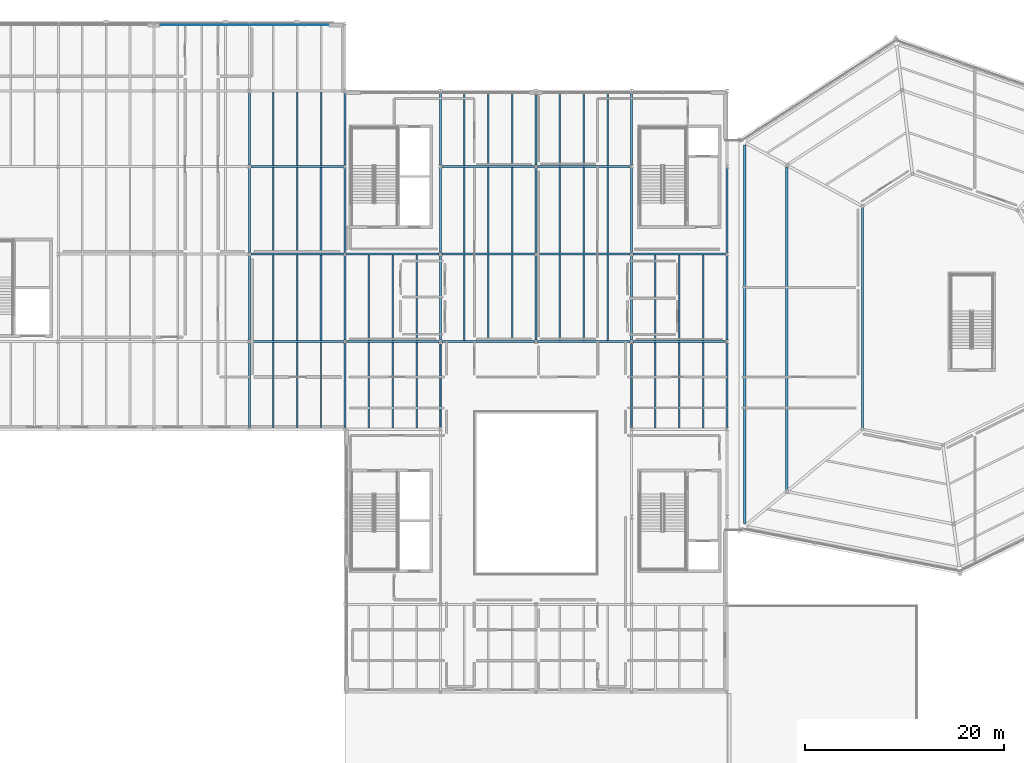
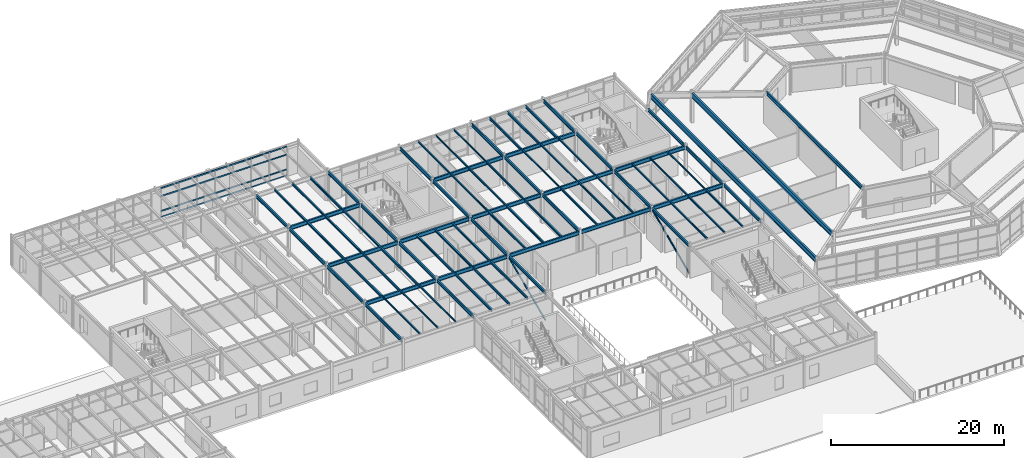
# One storey, part 28 of 69: 80 beams, 6 members, 1 element without a shape of its own.
"""IFC4 building model written with IfcOpenShell, lengths in metres."""

from ifc_helpers import new_model, si_unit, direction, frame, origin, origin_2d, place, context, subcontext, project, spatial, rectangle, hollow_rectangle, hollow_circle, i_section, extrude, material, material_profile, profile_set, type_object, element, aggregate, save


model = new_model("IFC4")

# Units and contexts
model_context = context("Model", 3, precision=1e-05, world=origin(), true_north=direction((0.0, 1.0)))
body_context = subcontext(model_context, "Body", "Model", "MODEL_VIEW")
ifc_project = project(units=[si_unit("LENGTHUNIT", "METRE"), si_unit("AREAUNIT", "SQUARE_METRE"), si_unit("VOLUMEUNIT", "CUBIC_METRE"), si_unit("PLANEANGLEUNIT", "RADIAN"), si_unit("MASSUNIT", "GRAM", prefix="KILO")], contexts=[model_context])

# Site, building, storey
site_placement = place(None, origin())
site = spatial("IfcSite", under=ifc_project, at=site_placement, CompositionType="ELEMENT")
building_placement = place(site_placement, origin())
building = spatial("IfcBuilding", under=site, at=building_placement, Name="Sarnbrook Museum", CompositionType="ELEMENT")
storey_placement = place(building_placement, frame((0.0, 0.0, 14.60009765625)))
storey = spatial("IfcBuildingStorey", under=building, at=storey_placement, Name="L03", CompositionType="ELEMENT", Elevation=14.60009765625)

# Beams
ifc_material_1 = material(Name="Structural Steel Grade 300PLUS (AS/NZS 3679.1, fy = 280 MPa for 17 < t <= 40 mm, 300 MPa for t <= 17 mm)", Category="steel")
ifc_material_profile_1 = material_profile(ifc_material_1, i_section(OverallWidth=0.18994140625, OverallDepth=0.45703125, WebThickness=0.009033203125, FlangeThickness=0.014404296875, FilletRadius=0.011474609375, at=origin_2d()), Name="460UB74.6")
ifc_profile_set_1 = profile_set([ifc_material_profile_1], Name="Structural Steel Grade 300PLUS (AS/NZS 3679.1, fy = 280 MPa for 17 < t <= 40 mm, 300 MPa for t <= 17 mm)")
beam_type_1 = type_object("IfcBeamType", Name="BM-UB460", PredefinedType="BEAM", material=ifc_profile_set_1)
beam_1_placement = place(storey_placement, frame((71.199951171875, 74.5576171875, 3.9814453125), z_axis=(0.0, 1.0, 0.0), x_axis=(-1.0, 0.0, 0.0)))
element("IfcBeam", 1, at=beam_1_placement, inside=storey, type_object=beam_type_1, Name="Girder 8:J-K L03", PredefinedType="BEAM", context=body_context, shape_type="SweptSolid", body=[
    extrude(i_section(OverallWidth=0.18994140625, OverallDepth=0.45703125, WebThickness=0.009033203125, FlangeThickness=0.014404296875, FilletRadius=0.011474609375, at=origin_2d()), origin(), (0.0, 0.0, 1.0), 8.48486328125),
])
for number, where, z_axis, x_axis, name in (
    (2, (71.199951171875, 83.357421875, 3.9814453125), (0.0, 1.0, 0.0), (-1.0, 0.0, 0.0), "Girder 8:K-L L03"),
    (3, (71.199951171875, 92.157470703125, 3.9814453125), (0.0, 1.0, 0.0), (-1.0, 0.0, 0.0), "Girder 8:L-M L03"),
):
    element("IfcBeam", number, at=place(storey_placement, frame(where, z_axis=z_axis, x_axis=x_axis)), inside=storey, type_object=beam_type_1, Name=name, PredefinedType="BEAM", context=body_context, shape_type="SweptSolid", body=[
        extrude(i_section(OverallWidth=0.18994140625, OverallDepth=0.45703125, WebThickness=0.009033203125, FlangeThickness=0.014404296875, FilletRadius=0.011474609375, at=origin_2d()), origin(), (0.0, 0.0, 1.0), 8.485107421875),
    ])
beam_2_placement = place(storey_placement, frame((71.199951171875, 100.95751953125, 3.9814453125), z_axis=(0.0, 1.0, 0.0), x_axis=(-1.0, 0.0, 0.0)))
element("IfcBeam", 4, at=beam_2_placement, inside=storey, type_object=beam_type_1, Name="Girder 8:M-N L03", PredefinedType="BEAM", context=body_context, shape_type="SweptSolid", body=[
    extrude(i_section(OverallWidth=0.18994140625, OverallDepth=0.45703125, WebThickness=0.009033203125, FlangeThickness=0.014404296875, FilletRadius=0.011474609375, at=origin_2d()), origin(), (0.0, 0.0, 1.0), 7.284912109375),
])
beam_3_placement = place(storey_placement, frame((80.800048828125, 74.5576171875, 3.9814453125), z_axis=(0.0, 1.0, 0.0), x_axis=(-1.0, 0.0, 0.0)))
element("IfcBeam", 5, at=beam_3_placement, inside=storey, type_object=beam_type_1, Name="Girder 9:J-K L03", PredefinedType="BEAM", context=body_context, shape_type="SweptSolid", body=[
    extrude(i_section(OverallWidth=0.18994140625, OverallDepth=0.45703125, WebThickness=0.009033203125, FlangeThickness=0.014404296875, FilletRadius=0.011474609375, at=origin_2d()), origin(), (0.0, 0.0, 1.0), 8.48486328125),
])
for number, where, z_axis, x_axis, name in (
    (6, (80.800048828125, 83.357421875, 3.9814453125), (0.0, 1.0, 0.0), (-1.0, 0.0, 0.0), "Girder 9:K-L L03"),
    (7, (80.800048828125, 92.157470703125, 3.9814453125), (0.0, 1.0, 0.0), (-1.0, 0.0, 0.0), "Girder 9:L-M L03"),
):
    element("IfcBeam", number, at=place(storey_placement, frame(where, z_axis=z_axis, x_axis=x_axis)), inside=storey, type_object=beam_type_1, Name=name, PredefinedType="BEAM", context=body_context, shape_type="SweptSolid", body=[
        extrude(i_section(OverallWidth=0.18994140625, OverallDepth=0.45703125, WebThickness=0.009033203125, FlangeThickness=0.014404296875, FilletRadius=0.011474609375, at=origin_2d()), origin(), (0.0, 0.0, 1.0), 8.485107421875),
    ])
beam_4_placement = place(storey_placement, frame((80.800048828125, 100.95751953125, 3.9814453125), z_axis=(0.0, 1.0, 0.0), x_axis=(-1.0, 0.0, 0.0)))
element("IfcBeam", 8, at=beam_4_placement, inside=storey, type_object=beam_type_1, Name="Girder 9:M-N L03", PredefinedType="BEAM", context=body_context, shape_type="SweptSolid", body=[
    extrude(i_section(OverallWidth=0.18994140625, OverallDepth=0.45703125, WebThickness=0.009033203125, FlangeThickness=0.014404296875, FilletRadius=0.011474609375, at=origin_2d()), origin(), (0.0, 0.0, 1.0), 7.284912109375),
])
beam_5_placement = place(storey_placement, frame((90.39990234375, 74.5576171875, 4.021484375), z_axis=(0.0, 1.0, 0.0), x_axis=(-1.0, 0.0, 0.0)))
element("IfcBeam", 9, at=beam_5_placement, inside=storey, type_object=beam_type_1, Name="Girder 10:J-K L03", PredefinedType="BEAM", context=body_context, shape_type="SweptSolid", body=[
    extrude(i_section(OverallWidth=0.18994140625, OverallDepth=0.45703125, WebThickness=0.009033203125, FlangeThickness=0.014404296875, FilletRadius=0.011474609375, at=origin_2d()), origin(), (0.0, 0.0, 1.0), 8.48486328125),
])
for number, where, z_axis, x_axis, name in (
    (10, (90.39990234375, 83.357421875, 4.021484375), (0.0, 1.0, 0.0), (-1.0, 0.0, 0.0), "Girder 10:K-L L03"),
    (11, (90.39990234375, 92.157470703125, 4.021484375), (0.0, 1.0, 0.0), (-1.0, 0.0, 0.0), "Girder 10:L-M L03"),
):
    element("IfcBeam", number, at=place(storey_placement, frame(where, z_axis=z_axis, x_axis=x_axis)), inside=storey, type_object=beam_type_1, Name=name, PredefinedType="BEAM", context=body_context, shape_type="SweptSolid", body=[
        extrude(i_section(OverallWidth=0.18994140625, OverallDepth=0.45703125, WebThickness=0.009033203125, FlangeThickness=0.014404296875, FilletRadius=0.011474609375, at=origin_2d()), origin(), (0.0, 0.0, 1.0), 8.485107421875),
    ])
beam_6_placement = place(storey_placement, frame((90.39990234375, 100.95751953125, 4.021484375), z_axis=(0.0, 1.0, 0.0), x_axis=(-1.0, 0.0, 0.0)))
element("IfcBeam", 12, at=beam_6_placement, inside=storey, type_object=beam_type_1, Name="Girder 10:M-N L03", PredefinedType="BEAM", context=body_context, shape_type="SweptSolid", body=[
    extrude(i_section(OverallWidth=0.18994140625, OverallDepth=0.45703125, WebThickness=0.009033203125, FlangeThickness=0.014404296875, FilletRadius=0.011474609375, at=origin_2d()), origin(), (0.0, 0.0, 1.0), 7.284912109375),
])
for number, where, z_axis, x_axis, name in (
    (13, (100.0, 83.357421875, 4.021484375), (0.0, 1.0, 0.0), (-1.0, 0.0, 0.0), "Girder 11:K-L L03"),
    (14, (100.0, 92.157470703125, 4.021484375), (0.0, 1.0, 0.0), (-1.0, 0.0, 0.0), "Girder 11:L-M L03"),
):
    element("IfcBeam", number, at=place(storey_placement, frame(where, z_axis=z_axis, x_axis=x_axis)), inside=storey, type_object=beam_type_1, Name=name, PredefinedType="BEAM", context=body_context, shape_type="SweptSolid", body=[
        extrude(i_section(OverallWidth=0.18994140625, OverallDepth=0.45703125, WebThickness=0.009033203125, FlangeThickness=0.014404296875, FilletRadius=0.011474609375, at=origin_2d()), origin(), (0.0, 0.0, 1.0), 8.485107421875),
    ])
beam_7_placement = place(storey_placement, frame((100.0, 100.95751953125, 4.021484375), z_axis=(0.0, 1.0, 0.0), x_axis=(-1.0, 0.0, 0.0)))
element("IfcBeam", 15, at=beam_7_placement, inside=storey, type_object=beam_type_1, Name="Girder 11:M-N L03", PredefinedType="BEAM", context=body_context, shape_type="SweptSolid", body=[
    extrude(i_section(OverallWidth=0.18994140625, OverallDepth=0.45703125, WebThickness=0.009033203125, FlangeThickness=0.014404296875, FilletRadius=0.011474609375, at=origin_2d()), origin(), (0.0, 0.0, 1.0), 7.284912109375),
])
beam_8_placement = place(storey_placement, frame((109.60009765625, 74.5576171875, 4.021484375), z_axis=(0.0, 1.0, 0.0), x_axis=(-1.0, 0.0, 0.0)))
element("IfcBeam", 16, at=beam_8_placement, inside=storey, type_object=beam_type_1, Name="Girder 12:J-K L03", PredefinedType="BEAM", context=body_context, shape_type="SweptSolid", body=[
    extrude(i_section(OverallWidth=0.18994140625, OverallDepth=0.45703125, WebThickness=0.009033203125, FlangeThickness=0.014404296875, FilletRadius=0.011474609375, at=origin_2d()), origin(), (0.0, 0.0, 1.0), 8.48486328125),
])
for number, where, z_axis, x_axis, name in (
    (17, (109.60009765625, 83.357421875, 4.021484375), (0.0, 1.0, 0.0), (-1.0, 0.0, 0.0), "Girder 12:K-L L03"),
    (18, (109.60009765625, 92.157470703125, 4.021484375), (0.0, 1.0, 0.0), (-1.0, 0.0, 0.0), "Girder 12:L-M L03"),
):
    element("IfcBeam", number, at=place(storey_placement, frame(where, z_axis=z_axis, x_axis=x_axis)), inside=storey, type_object=beam_type_1, Name=name, PredefinedType="BEAM", context=body_context, shape_type="SweptSolid", body=[
        extrude(i_section(OverallWidth=0.18994140625, OverallDepth=0.45703125, WebThickness=0.009033203125, FlangeThickness=0.014404296875, FilletRadius=0.011474609375, at=origin_2d()), origin(), (0.0, 0.0, 1.0), 8.485107421875),
    ])
beam_9_placement = place(storey_placement, frame((109.60009765625, 100.95751953125, 4.021484375), z_axis=(0.0, 1.0, 0.0), x_axis=(-1.0, 0.0, 0.0)))
element("IfcBeam", 19, at=beam_9_placement, inside=storey, type_object=beam_type_1, Name="Girder 12:M-N L03", PredefinedType="BEAM", context=body_context, shape_type="SweptSolid", body=[
    extrude(i_section(OverallWidth=0.18994140625, OverallDepth=0.45703125, WebThickness=0.009033203125, FlangeThickness=0.014404296875, FilletRadius=0.011474609375, at=origin_2d()), origin(), (0.0, 0.0, 1.0), 7.284912109375),
])
beam_10_placement = place(storey_placement, frame((119.199951171875, 74.5576171875, 4.021484375), z_axis=(0.0, 1.0, 0.0), x_axis=(-1.0, 0.0, 0.0)))
element("IfcBeam", 20, at=beam_10_placement, inside=storey, type_object=beam_type_1, Name="Girder 13:J-K L03", PredefinedType="BEAM", context=body_context, shape_type="SweptSolid", body=[
    extrude(i_section(OverallWidth=0.18994140625, OverallDepth=0.45703125, WebThickness=0.009033203125, FlangeThickness=0.014404296875, FilletRadius=0.011474609375, at=origin_2d()), origin(), (0.0, 0.0, 1.0), 8.48486328125),
])
for number, where, z_axis, x_axis, name in (
    (21, (119.199951171875, 83.357421875, 4.021484375), (0.0, 1.0, 0.0), (-1.0, 0.0, 0.0), "Girder 13:K-L L03"),
    (22, (119.199951171875, 92.157470703125, 4.021484375), (0.0, 1.0, 0.0), (-1.0, 0.0, 0.0), "Girder 13:L-M L03"),
):
    element("IfcBeam", number, at=place(storey_placement, frame(where, z_axis=z_axis, x_axis=x_axis)), inside=storey, type_object=beam_type_1, Name=name, PredefinedType="BEAM", context=body_context, shape_type="SweptSolid", body=[
        extrude(i_section(OverallWidth=0.18994140625, OverallDepth=0.45703125, WebThickness=0.009033203125, FlangeThickness=0.014404296875, FilletRadius=0.011474609375, at=origin_2d()), origin(), (0.0, 0.0, 1.0), 8.485107421875),
    ])
ifc_material_profile_2 = material_profile(ifc_material_1, i_section(OverallWidth=0.208984375, OverallDepth=0.532958984375, WebThickness=0.01025390625, FlangeThickness=0.015625, FilletRadius=0.013916015625, at=origin_2d()), Name="530UB92.4")
ifc_profile_set_2 = profile_set([ifc_material_profile_2], Name="Structural Steel Grade 300PLUS (AS/NZS 3679.1, fy = 280 MPa for 17 < t <= 40 mm, 300 MPa for t <= 17 mm)")
beam_type_2 = type_object("IfcBeamType", Name="BM-UB530", PredefinedType="BEAM", material=ifc_profile_set_2)
for number, where, z_axis, x_axis, name in (
    (23, (71.353515625, 83.199951171875, 3.943359375), (1.0, 0.0, 0.0), (0.0, 1.0, 0.0), "Girder K:8-9 L03"),
    (24, (80.95361328125, 83.199951171875, 3.9833984375), (1.0, 0.0, 0.0), (0.0, 1.0, 0.0), "Girder K:9-10 L03"),
    (25, (90.553466796875, 83.199951171875, 3.9833984375), (1.0, 0.0, 0.0), (0.0, 1.0, 0.0), "Girder K:10-11 L03"),
    (26, (100.153564453125, 83.199951171875, 3.9833984375), (1.0, 0.0, 0.0), (0.0, 1.0, 0.0), "Girder K:11-12 L03"),
    (27, (109.75341796875, 83.199951171875, 3.9833984375), (1.0, 0.0, 0.0), (0.0, 1.0, 0.0), "Girder K:12-13 L03"),
    (28, (71.353515625, 92.0, 3.943359375), (1.0, 0.0, 0.0), (0.0, 1.0, 0.0), "Girder L:8-9 L03"),
    (29, (80.95361328125, 92.0, 3.9833984375), (1.0, 0.0, 0.0), (0.0, 1.0, 0.0), "Girder L:9-10 L03"),
    (30, (90.553466796875, 92.0, 3.9833984375), (1.0, 0.0, 0.0), (0.0, 1.0, 0.0), "Girder L:10-11 L03"),
    (31, (100.153564453125, 92.0, 3.9833984375), (1.0, 0.0, 0.0), (0.0, 1.0, 0.0), "Girder L:11-12 L03"),
    (32, (109.75341796875, 92.0, 3.9833984375), (1.0, 0.0, 0.0), (0.0, 1.0, 0.0), "Girder L:12-13 L03"),
    (33, (71.353515625, 100.800048828125, 3.943359375), (1.0, 0.0, 0.0), (0.0, 1.0, 0.0), "Girder M:8-9 L03"),
    (34, (90.553466796875, 100.800048828125, 3.9833984375), (1.0, 0.0, 0.0), (0.0, 1.0, 0.0), "Girder M:10-11 L03"),
    (35, (100.153564453125, 100.800048828125, 3.9833984375), (1.0, 0.0, 0.0), (0.0, 1.0, 0.0), "Girder M:11-12 L03"),
):
    element("IfcBeam", number, at=place(storey_placement, frame(where, z_axis=z_axis, x_axis=x_axis)), inside=storey, type_object=beam_type_2, Name=name, PredefinedType="BEAM", context=body_context, shape_type="SweptSolid", body=[
        extrude(i_section(OverallWidth=0.208984375, OverallDepth=0.532958984375, WebThickness=0.01025390625, FlangeThickness=0.015625, FilletRadius=0.013916015625, at=origin_2d()), origin(), (0.0, 0.0, 1.0), 9.29296875),
    ])
beam_11_placement = place(storey_placement, frame((132.800048828125, 96.692138671875, 3.973388671875), z_axis=(0.0, -1.0, 0.0), x_axis=(1.0, 0.0, 0.0)))
element("IfcBeam", 36, at=beam_11_placement, inside=storey, type_object=beam_type_2, Name="Crystal Hall R2 Ring Girder 7 L03", PredefinedType="BEAM", context=body_context, shape_type="SweptSolid", body=[
    extrude(i_section(OverallWidth=0.208984375, OverallDepth=0.532958984375, WebThickness=0.01025390625, FlangeThickness=0.015625, FilletRadius=0.013916015625, at=origin_2d()), origin(), (0.0, 0.0, 1.0), 22.1669921875),
])
ifc_material_2 = material(Name="Structural Steel Grade 350L0 (AS/NZS 3678, fy = 340 MPa for 20 < t <= 40 mm)", Category="steel")
ifc_material_profile_3 = material_profile(ifc_material_2, i_section(OverallWidth=0.25, OverallDepth=0.699951171875, WebThickness=0.010009765625, FlangeThickness=0.01611328125, at=origin_2d()), Name="700WB130")
ifc_profile_set_3 = profile_set([ifc_material_profile_3], Name="Structural Steel Grade 350L0 (AS/NZS 3678, fy = 340 MPa for 20 < t <= 40 mm)")
beam_type_3 = type_object("IfcBeamType", Name="BM-WB700", PredefinedType="BEAM", material=ifc_profile_set_3)
beam_12_placement = place(storey_placement, frame((120.977294921875, 102.984619140625, 3.889892578125), z_axis=(0.0, -1.0, 0.0), x_axis=(1.0, 0.0, 0.0)))
element("IfcBeam", 37, at=beam_12_placement, inside=storey, type_object=beam_type_3, Name="Crystal Hall Perimeter Ring Girder 7 L03", PredefinedType="BEAM", context=body_context, shape_type="SweptSolid", body=[
    extrude(i_section(OverallWidth=0.25, OverallDepth=0.699951171875, WebThickness=0.010009765625, FlangeThickness=0.01611328125, at=origin_2d()), origin(), (0.0, 0.0, 1.0), 38.0703125),
])
beam_13_placement = place(storey_placement, frame((125.199951171875, 100.780517578125, 3.889892578125), z_axis=(0.0, -1.0, 0.0), x_axis=(1.0, 0.0, 0.0)))
element("IfcBeam", 38, at=beam_13_placement, inside=storey, type_object=beam_type_3, Name="Crystal Hall R1 Ring Girder 7 L03", PredefinedType="BEAM", context=body_context, shape_type="SweptSolid", body=[
    extrude(i_section(OverallWidth=0.25, OverallDepth=0.699951171875, WebThickness=0.010009765625, FlangeThickness=0.01611328125, at=origin_2d()), origin(), (0.0, 0.0, 1.0), 32.47705078125),
])

# Curtain wall, members
ifc_material_3 = material(Name="Thermally Broken Anodised Aluminium 6063-T6", Category="aluminium")
curtain_wall_type = type_object("IfcCurtainWallType", Name="CurtainWall_GalleryRibbon", PredefinedType="NOTDEFINED", material=ifc_material_3)
curtain_wall_placement = place(storey_placement, origin())
curtain_wall = element("IfcCurtainWall", 39, at=curtain_wall_placement, inside=storey, type_object=curtain_wall_type, Name="Gallery Ribbon Curtain Wall L03-8.1", PredefinedType="NOTDEFINED")
ifc_material_profile_4 = material_profile(ifc_material_3, rectangle(XDim=0.06494140625, YDim=0.139892578125, at=origin_2d()), Name="ALU TRANSOM 65x140")
ifc_profile_set_4 = profile_set([ifc_material_profile_4], Name="Thermally Broken Anodised Aluminium 6063-T6")
member_type_1 = type_object("IfcMemberType", Name="CW_Transom_150x65", PredefinedType="USERDEFINED", material=ifc_profile_set_4)
member_1_placement = place(storey_placement, frame((79.1298828125, 115.02001953125, 0.039794921875), z_axis=(-1.0, 0.0, 0.0), x_axis=(0.0, -1.0, 0.0)))
member_1 = element("IfcMember", 40, at=member_1_placement, type_object=member_type_1, Name="Gallery Ribbon Curtain Wall L03-8.1 Transom 1", ObjectType="TRANSOM", PredefinedType="USERDEFINED", context=body_context, shape_type="SweptSolid", body=[
    extrude(rectangle(XDim=0.06494140625, YDim=0.139892578125, at=origin_2d()), origin(), (0.0, 0.0, 1.0), 16.85986328125),
])
member_2_placement = place(storey_placement, frame((79.1298828125, 115.02001953125, 0.89990234375), z_axis=(-1.0, 0.0, 0.0), x_axis=(0.0, -1.0, 0.0)))
member_2 = element("IfcMember", 41, at=member_2_placement, type_object=member_type_1, Name="Gallery Ribbon Curtain Wall L03-8.1 Transom 2", ObjectType="TRANSOM", PredefinedType="USERDEFINED", context=body_context, shape_type="SweptSolid", body=[
    extrude(rectangle(XDim=0.06494140625, YDim=0.139892578125, at=origin_2d()), origin(), (0.0, 0.0, 1.0), 16.85986328125),
])
member_3_placement = place(storey_placement, frame((79.1298828125, 115.02001953125, 3.0), z_axis=(-1.0, 0.0, 0.0), x_axis=(0.0, -1.0, 0.0)))
member_3 = element("IfcMember", 42, at=member_3_placement, type_object=member_type_1, Name="Gallery Ribbon Curtain Wall L03-8.1 Transom 3", ObjectType="TRANSOM", PredefinedType="USERDEFINED", context=body_context, shape_type="SweptSolid", body=[
    extrude(rectangle(XDim=0.06494140625, YDim=0.139892578125, at=origin_2d()), origin(), (0.0, 0.0, 1.0), 16.85986328125),
])
member_4_placement = place(storey_placement, frame((79.1298828125, 115.02001953125, 4.119873046875), z_axis=(-1.0, 0.0, 0.0), x_axis=(0.0, -1.0, 0.0)))
member_4 = element("IfcMember", 43, at=member_4_placement, type_object=member_type_1, Name="Gallery Ribbon Curtain Wall L03-8.1 Transom 4", ObjectType="TRANSOM", PredefinedType="USERDEFINED", context=body_context, shape_type="SweptSolid", body=[
    extrude(rectangle(XDim=0.06494140625, YDim=0.139892578125, at=origin_2d()), origin(), (0.0, 0.0, 1.0), 16.85986328125),
])
aggregate(curtain_wall, [member_1, member_2, member_3, member_4])

# Beams
ifc_material_profile_5 = material_profile(ifc_material_1, i_section(OverallWidth=0.134033203125, OverallDepth=0.20703125, WebThickness=0.00634765625, FlangeThickness=0.009521484375, FilletRadius=0.0087890625, at=origin_2d()), Name="200UB29.8")
ifc_profile_set_5 = profile_set([ifc_material_profile_5], Name="Structural Steel Grade 300PLUS (AS/NZS 3679.1, fy = 280 MPa for 17 < t <= 40 mm, 300 MPa for t <= 17 mm)")
beam_type_4 = type_object("IfcBeamType", Name="JS-UB200", PredefinedType="JOIST", material=ifc_profile_set_5)
for number, where, z_axis, x_axis, name in (
    (44, (73.60009765625, 74.50439453125, 4.1064453125), (0.0, 1.0, 0.0), (-1.0, 0.0, 0.0), "Composite Floor Joist 8J-1 L03"),
    (45, (76.0, 74.50439453125, 4.1064453125), (0.0, 1.0, 0.0), (-1.0, 0.0, 0.0), "Composite Floor Joist 8J-2 L03"),
    (46, (78.39990234375, 74.50439453125, 4.1064453125), (0.0, 1.0, 0.0), (-1.0, 0.0, 0.0), "Composite Floor Joist 8J-3 L03"),
):
    element("IfcBeam", number, at=place(storey_placement, frame(where, z_axis=z_axis, x_axis=x_axis)), inside=storey, type_object=beam_type_4, Name=name, PredefinedType="JOIST", context=body_context, shape_type="SweptSolid", body=[
        extrude(i_section(OverallWidth=0.134033203125, OverallDepth=0.20703125, WebThickness=0.00634765625, FlangeThickness=0.009521484375, FilletRadius=0.0087890625, at=origin_2d()), origin(), (0.0, 0.0, 1.0), 8.591064453125),
    ])
for number, where, z_axis, x_axis, name in (
    (47, (92.800048828125, 100.904541015625, 4.146484375), (0.0, 1.0, 0.0), (-1.0, 0.0, 0.0), "Composite Floor Joist 10M-1 L03"),
    (48, (95.199951171875, 100.904541015625, 4.146484375), (0.0, 1.0, 0.0), (-1.0, 0.0, 0.0), "Composite Floor Joist 10M-2 L03"),
    (49, (97.60009765625, 100.904541015625, 4.146484375), (0.0, 1.0, 0.0), (-1.0, 0.0, 0.0), "Composite Floor Joist 10M-3 L03"),
):
    element("IfcBeam", number, at=place(storey_placement, frame(where, z_axis=z_axis, x_axis=x_axis)), inside=storey, type_object=beam_type_4, Name=name, PredefinedType="JOIST", context=body_context, shape_type="SweptSolid", body=[
        extrude(i_section(OverallWidth=0.134033203125, OverallDepth=0.20703125, WebThickness=0.00634765625, FlangeThickness=0.009521484375, FilletRadius=0.0087890625, at=origin_2d()), origin(), (0.0, 0.0, 1.0), 7.390869140625),
    ])
for number, where, z_axis, x_axis, name in (
    (50, (102.39990234375, 92.1044921875, 4.146484375), (0.0, 1.0, 0.0), (-1.0, 0.0, 0.0), "Composite Floor Joist 11L-1 L03"),
    (51, (104.800048828125, 92.1044921875, 4.146484375), (0.0, 1.0, 0.0), (-1.0, 0.0, 0.0), "Composite Floor Joist 11L-2 L03"),
    (52, (107.199951171875, 92.1044921875, 4.146484375), (0.0, 1.0, 0.0), (-1.0, 0.0, 0.0), "Composite Floor Joist 11L-3 L03"),
    (53, (112.0, 83.304443359375, 4.146484375), (0.0, 1.0, 0.0), (-1.0, 0.0, 0.0), "Composite Floor Joist 12K-1 L03"),
    (54, (114.39990234375, 83.304443359375, 4.146484375), (0.0, 1.0, 0.0), (-1.0, 0.0, 0.0), "Composite Floor Joist 12K-2 L03"),
    (55, (116.800048828125, 83.304443359375, 4.146484375), (0.0, 1.0, 0.0), (-1.0, 0.0, 0.0), "Composite Floor Joist 12K-3 L03"),
):
    element("IfcBeam", number, at=place(storey_placement, frame(where, z_axis=z_axis, x_axis=x_axis)), inside=storey, type_object=beam_type_4, Name=name, PredefinedType="JOIST", context=body_context, shape_type="SweptSolid", body=[
        extrude(i_section(OverallWidth=0.134033203125, OverallDepth=0.20703125, WebThickness=0.00634765625, FlangeThickness=0.009521484375, FilletRadius=0.0087890625, at=origin_2d()), origin(), (0.0, 0.0, 1.0), 8.591064453125),
    ])
ifc_material_profile_6 = material_profile(ifc_material_1, i_section(OverallWidth=0.14599609375, OverallDepth=0.256103515625, WebThickness=0.00634765625, FlangeThickness=0.010986328125, FilletRadius=0.0087890625, at=origin_2d()), Name="250UB37.3")
ifc_profile_set_6 = profile_set([ifc_material_profile_6], Name="Structural Steel Grade 300PLUS (AS/NZS 3679.1, fy = 280 MPa for 17 < t <= 40 mm, 300 MPa for t <= 17 mm)")
beam_type_5 = type_object("IfcBeamType", Name="JS-UB250", PredefinedType="JOIST", material=ifc_profile_set_6)
for number, where, z_axis, x_axis, name in (
    (56, (92.800048828125, 92.1044921875, 4.121826171875), (0.0, 1.0, 0.0), (-1.0, 0.0, 0.0), "Composite Floor Joist 10L-1 L03"),
    (57, (95.199951171875, 92.1044921875, 4.121826171875), (0.0, 1.0, 0.0), (-1.0, 0.0, 0.0), "Composite Floor Joist 10L-2 L03"),
    (58, (97.60009765625, 92.1044921875, 4.121826171875), (0.0, 1.0, 0.0), (-1.0, 0.0, 0.0), "Composite Floor Joist 10L-3 L03"),
    (59, (102.39990234375, 83.304443359375, 4.121826171875), (0.0, 1.0, 0.0), (-1.0, 0.0, 0.0), "Composite Floor Joist 11K-1 L03"),
    (60, (104.800048828125, 83.304443359375, 4.121826171875), (0.0, 1.0, 0.0), (-1.0, 0.0, 0.0), "Composite Floor Joist 11K-2 L03"),
    (61, (107.199951171875, 83.304443359375, 4.121826171875), (0.0, 1.0, 0.0), (-1.0, 0.0, 0.0), "Composite Floor Joist 11K-3 L03"),
    (62, (112.0, 74.50439453125, 4.121826171875), (0.0, 1.0, 0.0), (-1.0, 0.0, 0.0), "Composite Floor Joist 12J-1 L03"),
    (63, (114.39990234375, 74.50439453125, 4.121826171875), (0.0, 1.0, 0.0), (-1.0, 0.0, 0.0), "Composite Floor Joist 12J-2 L03"),
    (64, (116.800048828125, 74.50439453125, 4.121826171875), (0.0, 1.0, 0.0), (-1.0, 0.0, 0.0), "Composite Floor Joist 12J-3 L03"),
):
    element("IfcBeam", number, at=place(storey_placement, frame(where, z_axis=z_axis, x_axis=x_axis)), inside=storey, type_object=beam_type_5, Name=name, PredefinedType="JOIST", context=body_context, shape_type="SweptSolid", body=[
        extrude(i_section(OverallWidth=0.14599609375, OverallDepth=0.256103515625, WebThickness=0.00634765625, FlangeThickness=0.010986328125, FilletRadius=0.0087890625, at=origin_2d()), origin(), (0.0, 0.0, 1.0), 8.591064453125),
    ])
ifc_material_profile_7 = material_profile(ifc_material_1, i_section(OverallWidth=0.1650390625, OverallDepth=0.303955078125, WebThickness=0.006103515625, FlangeThickness=0.01025390625, FilletRadius=0.011474609375, at=origin_2d()), Name="310UB40.4")
ifc_profile_set_7 = profile_set([ifc_material_profile_7], Name="Structural Steel Grade 300PLUS (AS/NZS 3679.1, fy = 280 MPa for 17 < t <= 40 mm, 300 MPa for t <= 17 mm)")
beam_type_6 = type_object("IfcBeamType", Name="JS-UB310", PredefinedType="JOIST", material=ifc_profile_set_7)
for number, where, z_axis, x_axis, name in (
    (65, (73.60009765625, 100.904541015625, 4.057861328125), (0.0, 1.0, 0.0), (-1.0, 0.0, 0.0), "Composite Floor Joist 8M-1 L03"),
    (66, (76.0, 100.904541015625, 4.057861328125), (0.0, 1.0, 0.0), (-1.0, 0.0, 0.0), "Composite Floor Joist 8M-2 L03"),
    (67, (78.39990234375, 100.904541015625, 4.057861328125), (0.0, 1.0, 0.0), (-1.0, 0.0, 0.0), "Composite Floor Joist 8M-3 L03"),
):
    element("IfcBeam", number, at=place(storey_placement, frame(where, z_axis=z_axis, x_axis=x_axis)), inside=storey, type_object=beam_type_6, Name=name, PredefinedType="JOIST", context=body_context, shape_type="SweptSolid", body=[
        extrude(i_section(OverallWidth=0.1650390625, OverallDepth=0.303955078125, WebThickness=0.006103515625, FlangeThickness=0.01025390625, FilletRadius=0.011474609375, at=origin_2d()), origin(), (0.0, 0.0, 1.0), 7.390869140625),
    ])
for number, where, z_axis, x_axis, name in (
    (68, (92.800048828125, 83.304443359375, 4.097900390625), (0.0, 1.0, 0.0), (-1.0, 0.0, 0.0), "Composite Floor Joist 10K-1 L03"),
    (69, (95.199951171875, 83.304443359375, 4.097900390625), (0.0, 1.0, 0.0), (-1.0, 0.0, 0.0), "Composite Floor Joist 10K-2 L03"),
    (70, (97.60009765625, 83.304443359375, 4.097900390625), (0.0, 1.0, 0.0), (-1.0, 0.0, 0.0), "Composite Floor Joist 10K-3 L03"),
):
    element("IfcBeam", number, at=place(storey_placement, frame(where, z_axis=z_axis, x_axis=x_axis)), inside=storey, type_object=beam_type_6, Name=name, PredefinedType="JOIST", context=body_context, shape_type="SweptSolid", body=[
        extrude(i_section(OverallWidth=0.1650390625, OverallDepth=0.303955078125, WebThickness=0.006103515625, FlangeThickness=0.01025390625, FilletRadius=0.011474609375, at=origin_2d()), origin(), (0.0, 0.0, 1.0), 8.591064453125),
    ])
ifc_material_profile_8 = material_profile(ifc_material_1, i_section(OverallWidth=0.166015625, OverallDepth=0.306884765625, WebThickness=0.006591796875, FlangeThickness=0.01171875, FilletRadius=0.011474609375, at=origin_2d()), Name="310UB46.2")
ifc_profile_set_8 = profile_set([ifc_material_profile_8], Name="Structural Steel Grade 300PLUS (AS/NZS 3679.1, fy = 280 MPa for 17 < t <= 40 mm, 300 MPa for t <= 17 mm)")
beam_type_7 = type_object("IfcBeamType", Name="JS-UB310H", PredefinedType="JOIST", material=ifc_profile_set_8)
for number, where, z_axis, x_axis, name in (
    (71, (73.60009765625, 92.1044921875, 4.056396484375), (0.0, 1.0, 0.0), (-1.0, 0.0, 0.0), "Composite Floor Joist 8L-1 L03"),
    (72, (76.0, 92.1044921875, 4.056396484375), (0.0, 1.0, 0.0), (-1.0, 0.0, 0.0), "Composite Floor Joist 8L-2 L03"),
    (73, (78.39990234375, 92.1044921875, 4.056396484375), (0.0, 1.0, 0.0), (-1.0, 0.0, 0.0), "Composite Floor Joist 8L-3 L03"),
    (74, (83.199951171875, 83.304443359375, 4.096435546875), (0.0, 1.0, 0.0), (-1.0, 0.0, 0.0), "Composite Floor Joist 9K-1 L03"),
    (75, (85.60009765625, 83.304443359375, 4.096435546875), (0.0, 1.0, 0.0), (-1.0, 0.0, 0.0), "Composite Floor Joist 9K-2 L03"),
    (76, (88.0, 83.304443359375, 4.096435546875), (0.0, 1.0, 0.0), (-1.0, 0.0, 0.0), "Composite Floor Joist 9K-3 L03"),
):
    element("IfcBeam", number, at=place(storey_placement, frame(where, z_axis=z_axis, x_axis=x_axis)), inside=storey, type_object=beam_type_7, Name=name, PredefinedType="JOIST", context=body_context, shape_type="SweptSolid", body=[
        extrude(i_section(OverallWidth=0.166015625, OverallDepth=0.306884765625, WebThickness=0.006591796875, FlangeThickness=0.01171875, FilletRadius=0.011474609375, at=origin_2d()), origin(), (0.0, 0.0, 1.0), 8.591064453125),
    ])
ifc_material_profile_9 = material_profile(ifc_material_1, i_section(OverallWidth=0.1708984375, OverallDepth=0.35595703125, WebThickness=0.00732421875, FlangeThickness=0.011474609375, FilletRadius=0.011474609375, at=origin_2d()), Name="360UB50.7")
ifc_profile_set_9 = profile_set([ifc_material_profile_9], Name="Structural Steel Grade 300PLUS (AS/NZS 3679.1, fy = 280 MPa for 17 < t <= 40 mm, 300 MPa for t <= 17 mm)")
beam_type_8 = type_object("IfcBeamType", Name="JS-UB360", PredefinedType="JOIST", material=ifc_profile_set_9)
for number, where, z_axis, x_axis, name in (
    (77, (73.60009765625, 83.304443359375, 4.031982421875), (0.0, 1.0, 0.0), (-1.0, 0.0, 0.0), "Composite Floor Joist 8K-1 L03"),
    (78, (76.0, 83.304443359375, 4.031982421875), (0.0, 1.0, 0.0), (-1.0, 0.0, 0.0), "Composite Floor Joist 8K-2 L03"),
    (79, (78.39990234375, 83.304443359375, 4.031982421875), (0.0, 1.0, 0.0), (-1.0, 0.0, 0.0), "Composite Floor Joist 8K-3 L03"),
    (80, (83.199951171875, 74.50439453125, 4.072021484375), (0.0, 1.0, 0.0), (-1.0, 0.0, 0.0), "Composite Floor Joist 9J-1 L03"),
    (81, (85.60009765625, 74.50439453125, 4.072021484375), (0.0, 1.0, 0.0), (-1.0, 0.0, 0.0), "Composite Floor Joist 9J-2 L03"),
    (82, (88.0, 74.50439453125, 4.072021484375), (0.0, 1.0, 0.0), (-1.0, 0.0, 0.0), "Composite Floor Joist 9J-3 L03"),
):
    element("IfcBeam", number, at=place(storey_placement, frame(where, z_axis=z_axis, x_axis=x_axis)), inside=storey, type_object=beam_type_8, Name=name, PredefinedType="JOIST", context=body_context, shape_type="SweptSolid", body=[
        extrude(i_section(OverallWidth=0.1708984375, OverallDepth=0.35595703125, WebThickness=0.00732421875, FlangeThickness=0.011474609375, FilletRadius=0.011474609375, at=origin_2d()), origin(), (0.0, 0.0, 1.0), 8.591064453125),
    ])
for number, where, z_axis, x_axis, name in (
    (83, (102.39990234375, 100.904541015625, 4.072021484375), (0.0, 1.0, 0.0), (-1.0, 0.0, 0.0), "Composite Floor Joist 11M-1 L03"),
    (84, (104.800048828125, 100.904541015625, 4.072021484375), (0.0, 1.0, 0.0), (-1.0, 0.0, 0.0), "Composite Floor Joist 11M-2 L03"),
    (85, (107.199951171875, 100.904541015625, 4.072021484375), (0.0, 1.0, 0.0), (-1.0, 0.0, 0.0), "Composite Floor Joist 11M-3 L03"),
):
    element("IfcBeam", number, at=place(storey_placement, frame(where, z_axis=z_axis, x_axis=x_axis)), inside=storey, type_object=beam_type_8, Name=name, PredefinedType="JOIST", context=body_context, shape_type="SweptSolid", body=[
        extrude(i_section(OverallWidth=0.1708984375, OverallDepth=0.35595703125, WebThickness=0.00732421875, FlangeThickness=0.011474609375, FilletRadius=0.011474609375, at=origin_2d()), origin(), (0.0, 0.0, 1.0), 7.390869140625),
    ])

# Members
ifc_material_4 = material(Name="Structural Steel Hollow Section Grade C350L0 (AS/NZS 1163, fy = 350 MPa)", Category="steel")
ifc_material_profile_10 = material_profile(ifc_material_4, hollow_circle(Radius=0.109619140625, WallThickness=0.00830078125, at=origin_2d()), Name="219.1x8.2CHS")
ifc_profile_set_10 = profile_set([ifc_material_profile_10], Name="Structural Steel Hollow Section Grade C350L0 (AS/NZS 1163, fy = 350 MPa)")
member_type_2 = type_object("IfcMemberType", Name="MB-CHS219", PredefinedType="BRACE", material=ifc_profile_set_10)
member_5_placement = place(storey_placement, frame((109.60009765625, 74.580078125, 0.119873046875), z_axis=(0.0, 0.914658395799, 0.404227682124), x_axis=(-1.0, 0.0, 0.0)))
element("IfcMember", 86, at=member_5_placement, inside=storey, type_object=member_type_2, Name="Lateral Diagonal Brace CBF-4 L03", PredefinedType="BRACE", context=body_context, shape_type="SweptSolid", body=[
    extrude(hollow_circle(Radius=0.109619140625, WallThickness=0.00830078125, at=origin_2d()), origin(), (0.0, 0.0, 1.0), 9.2275390625),
])
ifc_material_profile_11 = material_profile(ifc_material_4, hollow_rectangle(XDim=0.14990234375, YDim=0.14990234375, WallThickness=0.009033203125, at=origin_2d()), Name="150x150x9.0SHS")
ifc_profile_set_11 = profile_set([ifc_material_profile_11], Name="Structural Steel Hollow Section Grade C350L0 (AS/NZS 1163, fy = 350 MPa)")
member_type_3 = type_object("IfcMemberType", Name="MB-SHS150", PredefinedType="BRACE", material=ifc_profile_set_11)
member_6_placement = place(storey_placement, frame((90.39990234375, 74.580078125, 0.119873046875), z_axis=(0.0, 0.914658395799, 0.404227682124), x_axis=(-1.0, 0.0, 0.0)))
element("IfcMember", 87, at=member_6_placement, inside=storey, type_object=member_type_3, Name="Lateral Diagonal Brace CBF-3 L03", PredefinedType="BRACE", context=body_context, shape_type="SweptSolid", body=[
    extrude(hollow_rectangle(XDim=0.14990234375, YDim=0.14990234375, WallThickness=0.009033203125, at=origin_2d()), origin(), (0.0, 0.0, 1.0), 9.2275390625),
])

save(model, "model.ifc")
